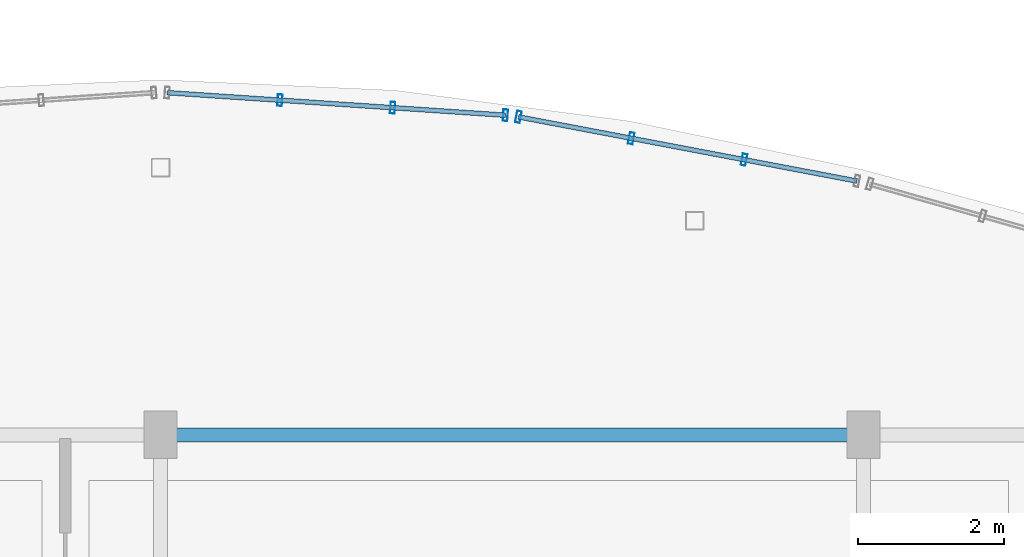
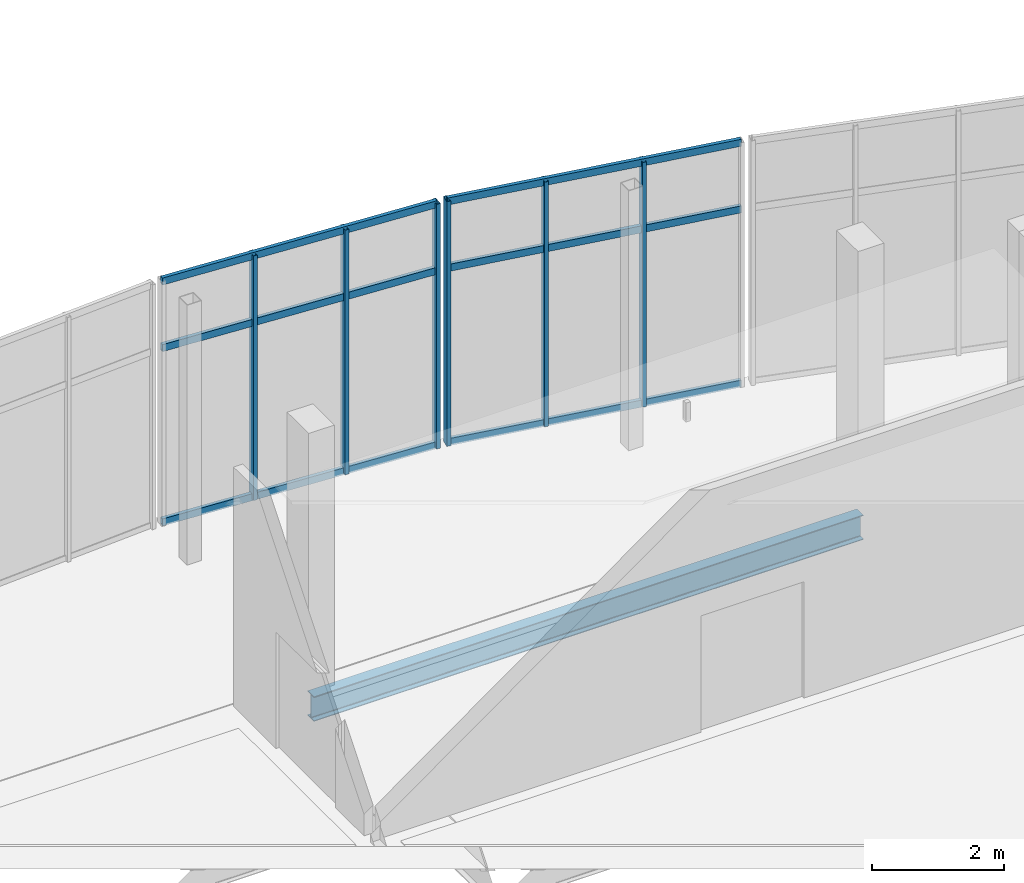
# One storey, part 39 of 157: 12 members, 1 beam, 2 elements without a shape of their own.
"""IFC4 building model written with IfcOpenShell, lengths in metres."""

from ifc_helpers import new_model, si_unit, direction, frame, origin, origin_2d, place, context, subcontext, project, spatial, hollow_rectangle, i_section, extrude, material, layer, layer_set, material_profile, profile_set, type_object, element, aggregate, save


model = new_model("IFC4")

# Units and contexts
model_context = context("Model", 3, precision=1e-05, world=origin(), true_north=direction((0.0, 1.0)))
body_context = subcontext(model_context, "Body", "Model", "MODEL_VIEW")
ifc_project = project(units=[si_unit("LENGTHUNIT", "METRE"), si_unit("AREAUNIT", "SQUARE_METRE"), si_unit("VOLUMEUNIT", "CUBIC_METRE"), si_unit("PLANEANGLEUNIT", "RADIAN"), si_unit("MASSUNIT", "GRAM", prefix="KILO")], contexts=[model_context])

# Site, building, storey
site_placement = place(None, origin())
site = spatial("IfcSite", under=ifc_project, at=site_placement, CompositionType="ELEMENT")
building_placement = place(site_placement, origin())
building = spatial("IfcBuilding", under=site, at=building_placement, Name="Chalmorin Arch Market", CompositionType="ELEMENT")
storey_placement = place(building_placement, frame((0.0, 0.0, 4.800048828125)))
storey = spatial("IfcBuildingStorey", under=building, at=storey_placement, Name="L01", CompositionType="ELEMENT", Elevation=4.800048828125)

# Curtain wall, members
ifc_material_1 = material(Name="Aluminium 6063-T6", Category="aluminium")
ifc_layer_1 = layer(ifc_material_1, 0.159912109375)
ifc_layer_set_1 = layer_set([ifc_layer_1], Name="Aluminium 6063-T6")
curtain_wall_type_1 = type_object("IfcCurtainWallType", Name="RiverfrontStorefrontCurtainWall-CW2-4630x4520", PredefinedType="NOTDEFINED", material=ifc_layer_set_1)
curtain_wall_1_placement = place(storey_placement, origin())
curtain_wall_1 = element("IfcCurtainWall", 1, at=curtain_wall_1_placement, inside=storey, type_object=curtain_wall_type_1, Name="CW-02-082", PredefinedType="NOTDEFINED")
ifc_material_profile_1 = material_profile(ifc_material_1, hollow_rectangle(XDim=0.06494140625, YDim=0.159912109375, WallThickness=0.00390625, at=origin_2d()), Name="ALU65X160X4")
ifc_profile_set_1 = profile_set([ifc_material_profile_1], Name="Aluminium 6063-T6")
member_type_1 = type_object("IfcMemberType", Name="CurtainWallMullion-65x160", PredefinedType="MULLION", material=ifc_profile_set_1)
member_1_placement = place(storey_placement, frame((20.829833984375, 54.5712890625, 0.0), z_axis=(0.0, 0.0, 1.0), x_axis=(0.99756405026, -0.069756473744, 0.0)))
member_1 = element("IfcMember", 2, at=member_1_placement, type_object=member_type_1, Name="ML-082-02", PredefinedType="MULLION", context=body_context, shape_type="SweptSolid", body=[
    extrude(hollow_rectangle(XDim=0.06494140625, YDim=0.159912109375, WallThickness=0.00390625, at=origin_2d()), origin(), (0.0, 0.0, 1.0), 4.52001953125),
])
member_2_placement = place(storey_placement, frame((22.3701171875, 54.46875, 0.0), z_axis=(0.0, 0.0, 1.0), x_axis=(0.99756405026, -0.069756473744, 0.0)))
member_2 = element("IfcMember", 3, at=member_2_placement, type_object=member_type_1, Name="ML-082-03", PredefinedType="MULLION", context=body_context, shape_type="SweptSolid", body=[
    extrude(hollow_rectangle(XDim=0.06494140625, YDim=0.159912109375, WallThickness=0.00390625, at=origin_2d()), origin(), (0.0, 0.0, 1.0), 4.52001953125),
])
member_3_placement = place(storey_placement, frame((23.91015625, 54.365966796875, 0.0), z_axis=(0.0, 0.0, 1.0), x_axis=(0.99756405026, -0.069756473744, 0.0)))
member_3 = element("IfcMember", 4, at=member_3_placement, type_object=member_type_1, Name="ML-082-04", PredefinedType="MULLION", context=body_context, shape_type="SweptSolid", body=[
    extrude(hollow_rectangle(XDim=0.06494140625, YDim=0.159912109375, WallThickness=0.00390625, at=origin_2d()), origin(), (0.0, 0.0, 1.0), 4.52001953125),
])

ifc_layer_2 = layer(ifc_material_1, 0.159912109375)
ifc_layer_set_2 = layer_set([ifc_layer_2], Name="Aluminium 6063-T6")
curtain_wall_type_2 = type_object("IfcCurtainWallType", Name="RiverfrontStorefrontCurtainWall-CW2-4710x4520", PredefinedType="NOTDEFINED", material=ifc_layer_set_2)
curtain_wall_2_placement = place(storey_placement, origin())
curtain_wall_2 = element("IfcCurtainWall", 5, at=curtain_wall_2_placement, inside=storey, type_object=curtain_wall_type_2, Name="CW-02-085", PredefinedType="NOTDEFINED")
member_4_placement = place(storey_placement, frame((24.08837890625, 54.34326171875, 0.0), z_axis=(0.0, 0.0, 1.0), x_axis=(0.981627183448, -0.190808995377, 0.0)))
member_4 = element("IfcMember", 6, at=member_4_placement, type_object=member_type_1, Name="ML-085-01", PredefinedType="MULLION", context=body_context, shape_type="SweptSolid", body=[
    extrude(hollow_rectangle(XDim=0.06494140625, YDim=0.159912109375, WallThickness=0.00390625, at=origin_2d()), origin(), (0.0, 0.0, 1.0), 4.52001953125),
])
member_5_placement = place(storey_placement, frame((25.62939453125, 54.051025390625, 0.0), z_axis=(0.0, 0.0, 1.0), x_axis=(0.981627183448, -0.190808995377, 0.0)))
member_5 = element("IfcMember", 7, at=member_5_placement, type_object=member_type_1, Name="ML-085-02", PredefinedType="MULLION", context=body_context, shape_type="SweptSolid", body=[
    extrude(hollow_rectangle(XDim=0.06494140625, YDim=0.159912109375, WallThickness=0.00390625, at=origin_2d()), origin(), (0.0, 0.0, 1.0), 4.52001953125),
])
member_6_placement = place(storey_placement, frame((27.17041015625, 53.7587890625, 0.0), z_axis=(0.0, 0.0, 1.0), x_axis=(0.981627183448, -0.190808995377, 0.0)))
member_6 = element("IfcMember", 8, at=member_6_placement, type_object=member_type_1, Name="ML-085-03", PredefinedType="MULLION", context=body_context, shape_type="SweptSolid", body=[
    extrude(hollow_rectangle(XDim=0.06494140625, YDim=0.159912109375, WallThickness=0.00390625, at=origin_2d()), origin(), (0.0, 0.0, 1.0), 4.52001953125),
])

# Member
ifc_material_profile_2 = material_profile(ifc_material_1, hollow_rectangle(XDim=0.06494140625, YDim=0.1298828125, WallThickness=0.00390625, at=origin_2d()), Name="ALU65X130X4")
ifc_profile_set_2 = profile_set([ifc_material_profile_2], Name="Aluminium 6063-T6")
member_type_2 = type_object("IfcMemberType", Name="CurtainWallTransom-65x130", PredefinedType="USERDEFINED", material=ifc_profile_set_2)
member_7_placement = place(storey_placement, frame((19.289794921875, 54.674072265625, 0.034912109375), z_axis=(0.997783991264, -0.066536507106, 0.0), x_axis=(0.066536507106, 0.997783991264, 0.0)))
member_7 = element("IfcMember", 9, at=member_7_placement, type_object=member_type_2, Name="TR-082-01", ObjectType="TRANSOM", PredefinedType="USERDEFINED", context=body_context, shape_type="SweptSolid", body=[
    extrude(hollow_rectangle(XDim=0.06494140625, YDim=0.1298828125, WallThickness=0.00390625, at=origin_2d()), origin(), (0.0, 0.0, 1.0), 4.630615234375),
])

member_8_placement = place(storey_placement, frame((19.289794921875, 54.674072265625, 3.25439453125), z_axis=(0.997783991264, -0.066536507106, 0.0), x_axis=(0.066536507106, 0.997783991264, 0.0)))
member_8 = element("IfcMember", 10, at=member_8_placement, type_object=member_type_2, Name="TR-082-02", ObjectType="TRANSOM", PredefinedType="USERDEFINED", context=body_context, shape_type="SweptSolid", body=[
    extrude(hollow_rectangle(XDim=0.06494140625, YDim=0.1298828125, WallThickness=0.00390625, at=origin_2d()), origin(), (0.0, 0.0, 1.0), 4.630615234375),
])

member_9_placement = place(storey_placement, frame((19.289794921875, 54.674072265625, 4.48486328125), z_axis=(0.997783991264, -0.066536507106, 0.0), x_axis=(0.066536507106, 0.997783991264, 0.0)))
member_9 = element("IfcMember", 11, at=member_9_placement, type_object=member_type_2, Name="TR-082-03", ObjectType="TRANSOM", PredefinedType="USERDEFINED", context=body_context, shape_type="SweptSolid", body=[
    extrude(hollow_rectangle(XDim=0.06494140625, YDim=0.1298828125, WallThickness=0.00390625, at=origin_2d()), origin(), (0.0, 0.0, 1.0), 4.630615234375),
])

aggregate(curtain_wall_1, [member_1, member_2, member_3, member_7, member_8, member_9])

member_10_placement = place(storey_placement, frame((24.08837890625, 54.34326171875, 0.034912109375), z_axis=(0.982500768679, -0.186258528783, 0.0), x_axis=(0.186258528783, 0.982500768679, 0.0)))
member_10 = element("IfcMember", 12, at=member_10_placement, type_object=member_type_2, Name="TR-085-01", ObjectType="TRANSOM", PredefinedType="USERDEFINED", context=body_context, shape_type="SweptSolid", body=[
    extrude(hollow_rectangle(XDim=0.06494140625, YDim=0.1298828125, WallThickness=0.00390625, at=origin_2d()), origin(), (0.0, 0.0, 1.0), 4.70556640625),
])

member_11_placement = place(storey_placement, frame((24.08837890625, 54.34326171875, 3.25439453125), z_axis=(0.982500768679, -0.186258528783, 0.0), x_axis=(0.186258528783, 0.982500768679, 0.0)))
member_11 = element("IfcMember", 13, at=member_11_placement, type_object=member_type_2, Name="TR-085-02", ObjectType="TRANSOM", PredefinedType="USERDEFINED", context=body_context, shape_type="SweptSolid", body=[
    extrude(hollow_rectangle(XDim=0.06494140625, YDim=0.1298828125, WallThickness=0.00390625, at=origin_2d()), origin(), (0.0, 0.0, 1.0), 4.70556640625),
])

member_12_placement = place(storey_placement, frame((24.08837890625, 54.34326171875, 4.48486328125), z_axis=(0.982500768679, -0.186258528783, 0.0), x_axis=(0.186258528783, 0.982500768679, 0.0)))
member_12 = element("IfcMember", 14, at=member_12_placement, type_object=member_type_2, Name="TR-085-03", ObjectType="TRANSOM", PredefinedType="USERDEFINED", context=body_context, shape_type="SweptSolid", body=[
    extrude(hollow_rectangle(XDim=0.06494140625, YDim=0.1298828125, WallThickness=0.00390625, at=origin_2d()), origin(), (0.0, 0.0, 1.0), 4.70556640625),
])

aggregate(curtain_wall_2, [member_4, member_5, member_6, member_10, member_11, member_12])

# Beam
ifc_material_2 = material(Name="Steel A992 Grade 50", Category="steel")
ifc_material_profile_3 = material_profile(ifc_material_2, i_section(OverallWidth=0.19091796875, OverallDepth=0.45703125, WebThickness=0.009033203125, FlangeThickness=0.014404296875, FilletRadius=0.02001953125, at=origin_2d()), Name="W18X50")
ifc_profile_set_3 = profile_set([ifc_material_profile_3], Name="Steel A992 Grade 50")
beam_type = type_object("IfcBeamType", Name="PerimeterSpandrelBeam-W18X50", PredefinedType="SPANDREL", material=ifc_profile_set_3)
beam_placement = place(storey_placement, frame((19.199951171875, 50.0, -0.510498046875), z_axis=(1.0, 0.0, 0.0), x_axis=(0.0, 1.0, 0.0)))
element("IfcBeam", 15, at=beam_placement, inside=storey, type_object=beam_type, Name="SP-W18-0832", PredefinedType="SPANDREL", context=body_context, shape_type="SweptSolid", body=[
    extrude(i_section(OverallWidth=0.19091796875, OverallDepth=0.45703125, WebThickness=0.009033203125, FlangeThickness=0.014404296875, FilletRadius=0.02001953125, at=origin_2d()), origin(), (0.0, 0.0, 1.0), 9.60009765625),
])

save(model, "model.ifc")
